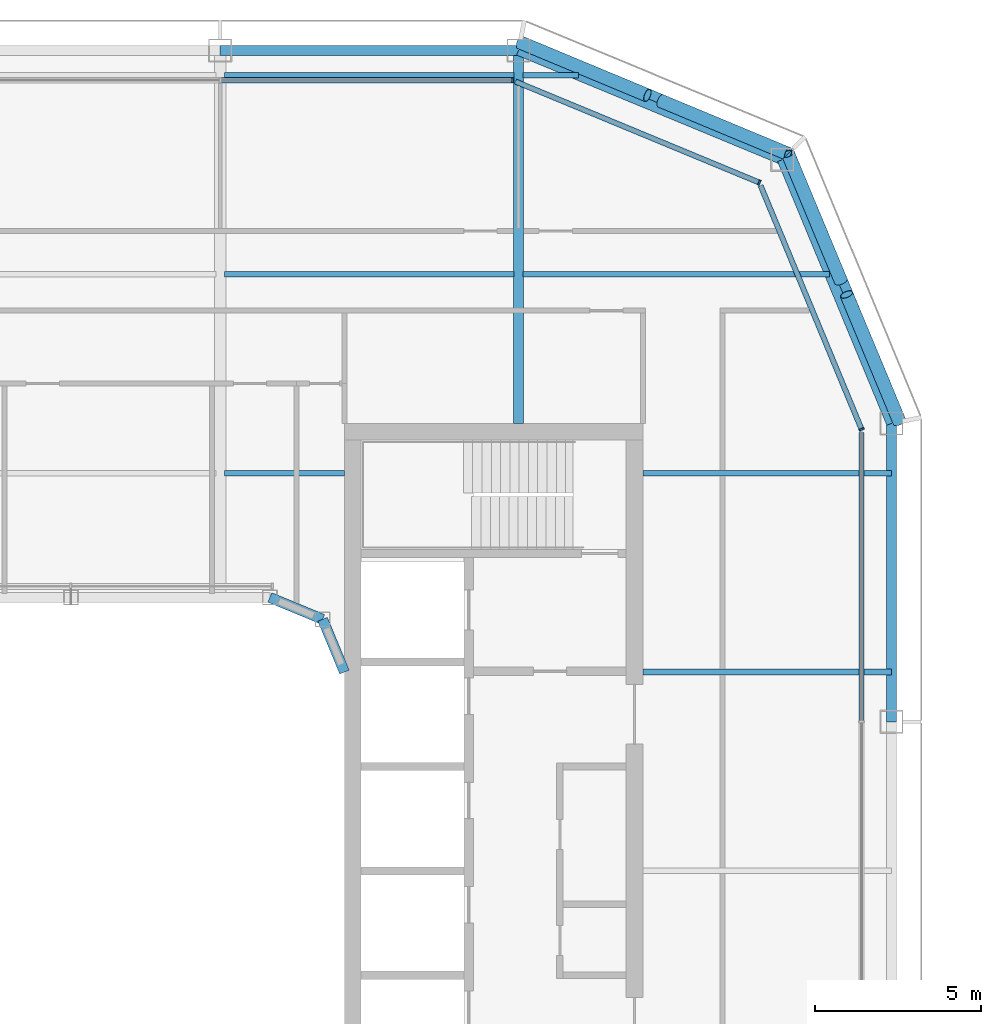
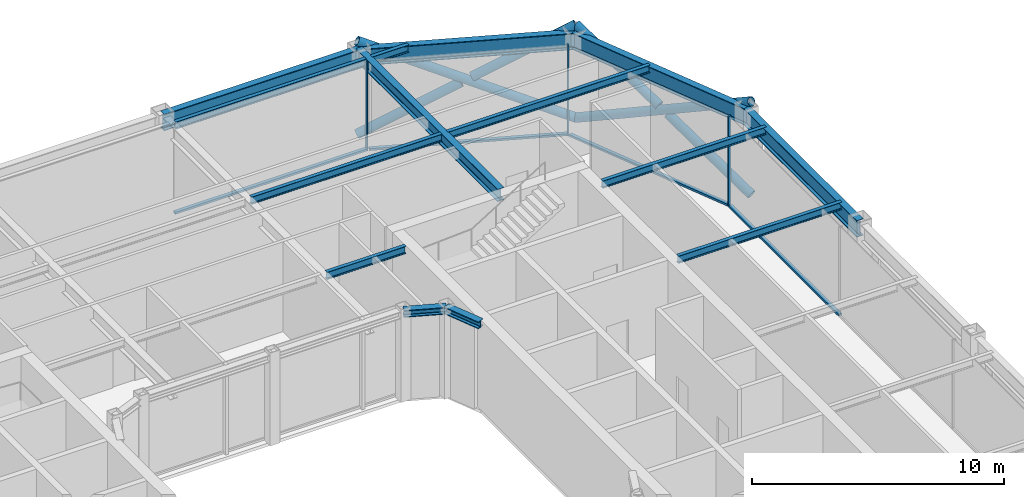
# One storey, part 9 of 21: 14 beams, 13 members, 4 elements without a shape of their own.
"""IFC4 building model written with IfcOpenShell, lengths in metres."""

from ifc_helpers import new_model, si_unit, direction, frame, origin, origin_2d, place, context, subcontext, project, spatial, rectangle, hollow_circle, i_section, extrude, material, layer, layer_set, material_profile, profile_set, type_object, element, aggregate, save


model = new_model("IFC4")

# Units and contexts
model_context = context("Model", 3, precision=1e-05, world=origin(), true_north=direction((0.0, 1.0)))
body_context = subcontext(model_context, "Body", "Model", "MODEL_VIEW")
ifc_project = project(units=[si_unit("LENGTHUNIT", "METRE"), si_unit("AREAUNIT", "SQUARE_METRE"), si_unit("VOLUMEUNIT", "CUBIC_METRE"), si_unit("PLANEANGLEUNIT", "RADIAN"), si_unit("MASSUNIT", "GRAM", prefix="KILO")], contexts=[model_context])

# Site, building, storey
site_placement = place(None, origin())
site = spatial("IfcSite", under=ifc_project, at=site_placement, CompositionType="ELEMENT")
building_placement = place(site_placement, origin())
building = spatial("IfcBuilding", under=site, at=building_placement, Name="Siwar Civic Tower", CompositionType="ELEMENT")
storey_placement = place(building_placement, frame((0.0, 0.0, 339.199951171875)))
storey = spatial("IfcBuildingStorey", under=building, at=storey_placement, Name="L73", CompositionType="ELEMENT", Elevation=339.199951171875)

# Curtain wall, member
ifc_material_1 = material(Name="Aluminium clad insulated panel", Category="aluminium")
ifc_layer_1 = layer(ifc_material_1, 0.159912109375)
ifc_layer_set_1 = layer_set([ifc_layer_1], Name="Aluminium clad insulated panel")
curtain_wall_type_1 = type_object("IfcCurtainWallType", Name="ENV-CW-DX", PredefinedType="NOTDEFINED", material=ifc_layer_set_1)
curtain_wall_1_placement = place(storey_placement, origin())
curtain_wall_1 = element("IfcCurtainWall", 1, at=curtain_wall_1_placement, inside=storey, type_object=curtain_wall_type_1, Name="Curtain wall D NE1", PredefinedType="NOTDEFINED")
ifc_material_2 = material(Name="Aluminium 6063-T6", Category="aluminium")
ifc_material_profile_1 = material_profile(ifc_material_2, rectangle(XDim=0.159912109375, YDim=0.06005859375, at=origin_2d()), Name="AL 160x60")
ifc_profile_set_1 = profile_set([ifc_material_profile_1], Name="Aluminium 6063-T6")
member_type_1 = type_object("IfcMemberType", Name="ENV-MULLION-D", PredefinedType="MULLION", material=ifc_profile_set_1)
member_1_placement = place(storey_placement, frame((23.85009765625, 13.321044921875, 0.0), z_axis=(0.0, 0.0, 1.0), x_axis=(-0.923879532511, -0.382683432365, 0.0)))
member_1 = element("IfcMember", 2, at=member_1_placement, type_object=member_type_1, Name="Mullion D NE1 1", PredefinedType="MULLION", context=body_context, shape_type="SweptSolid", body=[
    extrude(rectangle(XDim=0.159912109375, YDim=0.06005859375, at=origin_2d()), origin(), (0.0, 0.0, 1.0), 4.35009765625),
])

curtain_wall_2_placement = place(storey_placement, origin())
curtain_wall_2 = element("IfcCurtainWall", 3, at=curtain_wall_2_placement, inside=storey, type_object=curtain_wall_type_1, Name="Curtain wall D NE2", PredefinedType="NOTDEFINED")
member_2_placement = place(storey_placement, frame((20.76611328125, 20.76611328125, 0.0), z_axis=(0.0, 0.0, 1.0), x_axis=(-0.382683432365, -0.923879532511, 0.0)))
member_2 = element("IfcMember", 4, at=member_2_placement, type_object=member_type_1, Name="Mullion D NE2 1", PredefinedType="MULLION", context=body_context, shape_type="SweptSolid", body=[
    extrude(rectangle(XDim=0.159912109375, YDim=0.06005859375, at=origin_2d()), origin(), (0.0, 0.0, 1.0), 4.35009765625),
])

ifc_material_3 = material(Name="Aluminium and glass", Category="aluminium")
ifc_layer_2 = layer(ifc_material_3, 0.159912109375)
ifc_layer_set_2 = layer_set([ifc_layer_2], Name="Aluminium and glass")
curtain_wall_type_2 = type_object("IfcCurtainWallType", Name="ENV-CW-D", PredefinedType="NOTDEFINED", material=ifc_layer_set_2)
curtain_wall_3_placement = place(storey_placement, origin())
curtain_wall_3 = element("IfcCurtainWall", 5, at=curtain_wall_3_placement, inside=storey, type_object=curtain_wall_type_2, Name="Curtain wall D N", PredefinedType="NOTDEFINED")
member_3_placement = place(storey_placement, frame((13.321044921875, 23.85009765625, 0.0), z_axis=(0.0, 0.0, 1.0), x_axis=(0.0, -1.0, 0.0)))
member_3 = element("IfcMember", 6, at=member_3_placement, type_object=member_type_1, Name="Mullion D N 1", PredefinedType="MULLION", context=body_context, shape_type="SweptSolid", body=[
    extrude(rectangle(XDim=0.159912109375, YDim=0.06005859375, at=origin_2d()), origin(), (0.0, 0.0, 1.0), 4.35009765625),
])

curtain_wall_4_placement = place(storey_placement, origin())
curtain_wall_4 = element("IfcCurtainWall", 7, at=curtain_wall_4_placement, inside=storey, type_object=curtain_wall_type_2, Name="Curtain wall D E", PredefinedType="NOTDEFINED")
ifc_material_4 = material(Name="Aluminium 6063-T6", Category="aluminium")
ifc_material_profile_2 = material_profile(ifc_material_4, rectangle(XDim=0.159912109375, YDim=0.10009765625, at=origin_2d()), Name="AL 160x100")
ifc_profile_set_2 = profile_set([ifc_material_profile_2], Name="Aluminium 6063-T6")
member_type_2 = type_object("IfcMemberType", Name="ENV-TRANSOM-D", PredefinedType="USERDEFINED", material=ifc_profile_set_2)
member_4_placement = place(storey_placement, frame((23.85009765625, 4.530029296875, 0.050048828125), z_axis=(0.0, 1.0, 0.0), x_axis=(-1.0, 0.0, 0.0)))
member_4 = element("IfcMember", 8, at=member_4_placement, type_object=member_type_2, Name="Transom D E 3", ObjectType="TRANSOM", PredefinedType="USERDEFINED", context=body_context, shape_type="SweptSolid", body=[
    extrude(rectangle(XDim=0.159912109375, YDim=0.10009765625, at=origin_2d()), origin(), (0.0, 0.0, 1.0), 8.693115234375),
])
aggregate(curtain_wall_4, [member_4])

# Member
member_5_placement = place(storey_placement, frame((23.838623046875, 13.3486328125, 0.050048828125), z_axis=(-0.382699790424, 0.923872756612, 0.0), x_axis=(-0.923872756612, -0.382699790424, 0.0)))
member_5 = element("IfcMember", 9, at=member_5_placement, type_object=member_type_2, Name="Transom D NE1 1", ObjectType="TRANSOM", PredefinedType="USERDEFINED", context=body_context, shape_type="SweptSolid", body=[
    extrude(rectangle(XDim=0.159912109375, YDim=0.10009765625, at=origin_2d()), origin(), (0.0, 0.0, 1.0), 7.930908203125),
])

aggregate(curtain_wall_1, [member_1, member_5])

member_6_placement = place(storey_placement, frame((20.738525390625, 20.777587890625, 0.050048828125), z_axis=(-0.923883640343, 0.382673515031, 0.0), x_axis=(-0.382673515031, -0.923883640343, 0.0)))
member_6 = element("IfcMember", 10, at=member_6_placement, type_object=member_type_2, Name="Transom D NE2 1", ObjectType="TRANSOM", PredefinedType="USERDEFINED", context=body_context, shape_type="SweptSolid", body=[
    extrude(rectangle(XDim=0.159912109375, YDim=0.10009765625, at=origin_2d()), origin(), (0.0, 0.0, 1.0), 7.930908203125),
])

aggregate(curtain_wall_2, [member_2, member_6])

member_7_placement = place(storey_placement, frame((13.291015625, 23.85009765625, 0.050048828125), z_axis=(-1.0, 0.0, 0.0), x_axis=(0.0, -1.0, 0.0)))
member_7 = element("IfcMember", 11, at=member_7_placement, type_object=member_type_2, Name="Transom D N 1", ObjectType="TRANSOM", PredefinedType="USERDEFINED", context=body_context, shape_type="SweptSolid", body=[
    extrude(rectangle(XDim=0.159912109375, YDim=0.10009765625, at=origin_2d()), origin(), (0.0, 0.0, 1.0), 8.760986328125),
])

aggregate(curtain_wall_3, [member_3, member_7])

# Members
ifc_material_5 = material(Name="Steel S355", Category="steel")
ifc_material_profile_3 = material_profile(ifc_material_5, hollow_circle(Radius=0.203125, WallThickness=0.01611328125, at=origin_2d()), Name="CHS406.4x16")
ifc_profile_set_3 = profile_set([ifc_material_profile_3], Name="Steel S355")
member_type_3 = type_object("IfcMemberType", Name="STR-BR-CHS406.4x16", PredefinedType="BRACE", material=ifc_profile_set_3)
member_8_placement = place(storey_placement, frame((21.6318359375, 21.6318359375, 0.0), z_axis=(-0.821142553604, 0.341671493852, 0.457149315816), x_axis=(-0.384163874976, -0.923264922524, 0.0)))
element("IfcMember", 12, at=member_8_placement, inside=storey, type_object=member_type_3, Name="L73/brc/DNE1-12-0-1", PredefinedType="BRACE", context=body_context, shape_type="SweptSolid", body=[
    extrude(hollow_circle(Radius=0.203125, WallThickness=0.01611328125, at=origin_2d()), origin(), (0.0, 0.0, 1.0), 9.843505859375),
])
for number, where, z_axis, x_axis, name in (
    (13, (13.548828125, 24.9951171875, 0.0), (0.821130093572, -0.341659024948, 0.45718101459), (0.384156893273, 0.923267827529, 0.0), "L73/brc/DNE1-12-0-2"),
    (14, (17.791259765625, 23.229736328125, 2.362060546875), (0.821166691915, -0.341652533125, 0.457120127208), (0.38413607648, 0.923276488787, 0.0), "L73/brc/DNE1-12-0-3"),
):
    element("IfcMember", number, at=place(storey_placement, frame(where, z_axis=z_axis, x_axis=x_axis)), inside=storey, type_object=member_type_3, Name=name, PredefinedType="BRACE", context=body_context, shape_type="SweptSolid", body=[
        extrude(hollow_circle(Radius=0.203125, WallThickness=0.01611328125, at=origin_2d()), origin(), (0.0, 0.0, 1.0), 4.677001953125),
    ])
member_9_placement = place(storey_placement, frame((21.6318359375, 21.6318359375, 0.0), z_axis=(0.341671493852, -0.821142553604, 0.457149315816), x_axis=(0.923264922524, 0.384163874976, 0.0)))
element("IfcMember", 15, at=member_9_placement, inside=storey, type_object=member_type_3, Name="L73/brc/DNE1-12-0-0", PredefinedType="BRACE", context=body_context, shape_type="SweptSolid", body=[
    extrude(hollow_circle(Radius=0.203125, WallThickness=0.01611328125, at=origin_2d()), origin(), (0.0, 0.0, 1.0), 9.843505859375),
])
for number, where, z_axis, x_axis, name in (
    (16, (24.9951171875, 13.548828125, 0.0), (-0.341659024948, 0.821130093572, 0.45718101459), (-0.923267827529, -0.384156893273, 0.0), "L73/brc/DNE1-12-0-4"),
    (17, (23.229736328125, 17.791259765625, 2.362060546875), (-0.341652533125, 0.821166691915, 0.457120127208), (-0.923276488787, -0.38413607648, 0.0), "L73/brc/DNE1-12-0-5"),
):
    element("IfcMember", number, at=place(storey_placement, frame(where, z_axis=z_axis, x_axis=x_axis)), inside=storey, type_object=member_type_3, Name=name, PredefinedType="BRACE", context=body_context, shape_type="SweptSolid", body=[
        extrude(hollow_circle(Radius=0.203125, WallThickness=0.01611328125, at=origin_2d()), origin(), (0.0, 0.0, 1.0), 4.677001953125),
    ])

# Beams
ifc_material_6 = material(Name="Steel S355", Category="steel")
ifc_material_profile_4 = material_profile(ifc_material_6, i_section(OverallWidth=0.169921875, OverallDepth=0.360107421875, WebThickness=0.008056640625, FlangeThickness=0.0126953125, FilletRadius=0.01806640625, at=origin_2d()), Name="IPE360")
ifc_profile_set_4 = profile_set([ifc_material_profile_4], Name="Steel S355")
beam_type_1 = type_object("IfcBeamType", Name="STR-FB-IPE360", PredefinedType="JOIST", material=ifc_profile_set_4)
beam_1_placement = place(storey_placement, frame((17.25, 6.0, 4.170166015625), z_axis=(1.0, 0.0, 0.0), x_axis=(0.0, 1.0, 0.0)))
element("IfcBeam", 18, at=beam_1_placement, inside=storey, type_object=beam_type_1, Name="L73/bm/F021", PredefinedType="JOIST", context=body_context, shape_type="SweptSolid", body=[
    extrude(i_section(OverallWidth=0.169921875, OverallDepth=0.360107421875, WebThickness=0.008056640625, FlangeThickness=0.0126953125, FilletRadius=0.01806640625, at=origin_2d()), origin(), (0.0, 0.0, 1.0), 7.5),
])
beam_2_placement = place(storey_placement, frame((4.6298828125, 12.0, 4.170166015625), z_axis=(1.0, 0.0, 0.0), x_axis=(0.0, 1.0, 0.0)))
element("IfcBeam", 19, at=beam_2_placement, inside=storey, type_object=beam_type_1, Name="L73/bm/F025", PredefinedType="JOIST", context=body_context, shape_type="SweptSolid", body=[
    extrude(i_section(OverallWidth=0.169921875, OverallDepth=0.360107421875, WebThickness=0.008056640625, FlangeThickness=0.0126953125, FilletRadius=0.01806640625, at=origin_2d()), origin(), (0.0, 0.0, 1.0), 3.6201171875),
])
beam_3_placement = place(storey_placement, frame((17.25, 12.0, 4.170166015625), z_axis=(1.0, 0.0, 0.0), x_axis=(0.0, 1.0, 0.0)))
element("IfcBeam", 20, at=beam_3_placement, inside=storey, type_object=beam_type_1, Name="L73/bm/F026", PredefinedType="JOIST", context=body_context, shape_type="SweptSolid", body=[
    extrude(i_section(OverallWidth=0.169921875, OverallDepth=0.360107421875, WebThickness=0.008056640625, FlangeThickness=0.0126953125, FilletRadius=0.01806640625, at=origin_2d()), origin(), (0.0, 0.0, 1.0), 7.5),
])
beam_4_placement = place(storey_placement, frame((4.6298828125, 18.0, 4.170166015625), z_axis=(1.0, 0.0, 0.0), x_axis=(0.0, 1.0, 0.0)))
element("IfcBeam", 21, at=beam_4_placement, inside=storey, type_object=beam_type_1, Name="L73/bm/F030", PredefinedType="JOIST", context=body_context, shape_type="SweptSolid", body=[
    extrude(i_section(OverallWidth=0.169921875, OverallDepth=0.360107421875, WebThickness=0.008056640625, FlangeThickness=0.0126953125, FilletRadius=0.01806640625, at=origin_2d()), origin(), (0.0, 0.0, 1.0), 8.740234375),
])
beam_5_placement = place(storey_placement, frame((13.6298828125, 18.0, 4.170166015625), z_axis=(1.0, 0.0, 0.0), x_axis=(0.0, 1.0, 0.0)))
element("IfcBeam", 22, at=beam_5_placement, inside=storey, type_object=beam_type_1, Name="L73/bm/F031", PredefinedType="JOIST", context=body_context, shape_type="SweptSolid", body=[
    extrude(i_section(OverallWidth=0.169921875, OverallDepth=0.360107421875, WebThickness=0.008056640625, FlangeThickness=0.0126953125, FilletRadius=0.01806640625, at=origin_2d()), origin(), (0.0, 0.0, 1.0), 9.256103515625),
])
beam_6_placement = place(storey_placement, frame((4.6298828125, 24.0, 4.170166015625), z_axis=(1.0, 0.0, 0.0), x_axis=(0.0, 1.0, 0.0)))
element("IfcBeam", 23, at=beam_6_placement, inside=storey, type_object=beam_type_1, Name="L73/bm/F035", PredefinedType="JOIST", context=body_context, shape_type="SweptSolid", body=[
    extrude(i_section(OverallWidth=0.169921875, OverallDepth=0.360107421875, WebThickness=0.008056640625, FlangeThickness=0.0126953125, FilletRadius=0.01806640625, at=origin_2d()), origin(), (0.0, 0.0, 1.0), 8.740234375),
])
beam_7_placement = place(storey_placement, frame((13.6298828125, 24.0, 4.170166015625), z_axis=(1.0, 0.0, 0.0), x_axis=(0.0, 1.0, 0.0)))
element("IfcBeam", 24, at=beam_7_placement, inside=storey, type_object=beam_type_1, Name="L73/bm/F036", PredefinedType="JOIST", context=body_context, shape_type="SweptSolid", body=[
    extrude(i_section(OverallWidth=0.169921875, OverallDepth=0.360107421875, WebThickness=0.008056640625, FlangeThickness=0.0126953125, FilletRadius=0.01806640625, at=origin_2d()), origin(), (0.0, 0.0, 1.0), 1.6806640625),
])
ifc_material_7 = material(Name="Steel S355", Category="steel")
ifc_material_profile_5 = material_profile(ifc_material_7, i_section(OverallWidth=0.300048828125, OverallDepth=0.60009765625, WebThickness=0.015380859375, FlangeThickness=0.030029296875, FilletRadius=0.027099609375, at=origin_2d()), Name="HEB600")
ifc_profile_set_5 = profile_set([ifc_material_profile_5], Name="Steel S355")
beam_type_2 = type_object("IfcBeamType", Name="STR-PG-HEB600", PredefinedType="BEAM", material=ifc_profile_set_5)
beam_8_placement = place(storey_placement, frame((13.5, 13.5, 4.050048828125), z_axis=(0.0, 1.0, 0.0), x_axis=(-1.0, 0.0, 0.0)))
element("IfcBeam", 25, at=beam_8_placement, inside=storey, type_object=beam_type_2, Name="L73/bm/G08", PredefinedType="BEAM", context=body_context, shape_type="SweptSolid", body=[
    extrude(i_section(OverallWidth=0.300048828125, OverallDepth=0.60009765625, WebThickness=0.015380859375, FlangeThickness=0.030029296875, FilletRadius=0.027099609375, at=origin_2d()), origin(), (0.0, 0.0, 1.0), 11.25),
])
ifc_material_8 = material(Name="Steel S355", Category="steel")
ifc_material_profile_6 = material_profile(ifc_material_8, i_section(OverallWidth=0.31005859375, OverallDepth=0.340087890625, WebThickness=0.02099609375, FlangeThickness=0.0390625, FilletRadius=0.027099609375, at=origin_2d()), Name="HEM300")
ifc_profile_set_6 = profile_set([ifc_material_profile_6], Name="Steel S355")
beam_type_3 = type_object("IfcBeamType", Name="STR-RB-HEM300", PredefinedType="BEAM", material=ifc_profile_set_6)
for number, where, z_axis, x_axis, name in (
    (26, (6.0, 8.25, 4.179931640625), (0.923901072997, -0.382631424892, 0.0), (0.382631424892, 0.923901072997, 0.0), "L73/bm/RN3"),
    (27, (7.591064453125, 7.591064453125, 4.179931640625), (0.382631424892, -0.923901072997, 0.0), (0.923901072997, 0.382631424892, 0.0), "L73/bm/RNEE"),
):
    element("IfcBeam", number, at=place(storey_placement, frame(where, z_axis=z_axis, x_axis=x_axis)), inside=storey, type_object=beam_type_3, Name=name, PredefinedType="BEAM", context=body_context, shape_type="SweptSolid", body=[
        extrude(i_section(OverallWidth=0.31005859375, OverallDepth=0.340087890625, WebThickness=0.02099609375, FlangeThickness=0.0390625, FilletRadius=0.027099609375, at=origin_2d()), origin(), (0.0, 0.0, 1.0), 1.72216796875),
    ])
ifc_material_9 = material(Name="Steel S355", Category="steel")
ifc_material_profile_7 = material_profile(ifc_material_9, i_section(OverallWidth=0.300048828125, OverallDepth=0.800048828125, WebThickness=0.017578125, FlangeThickness=0.032958984375, FilletRadius=0.030029296875, at=origin_2d()), Name="HEB800")
ifc_profile_set_7 = profile_set([ifc_material_profile_7], Name="Steel S355")
beam_type_4 = type_object("IfcBeamType", Name="STR-SB-HEB800", PredefinedType="BEAM", material=ifc_profile_set_7)
beam_9_placement = place(storey_placement, frame((24.75, 4.5, 3.949951171875), z_axis=(0.0, 1.0, 0.0), x_axis=(-1.0, 0.0, 0.0)))
element("IfcBeam", 28, at=beam_9_placement, inside=storey, type_object=beam_type_4, Name="L73/bm/SE-2", PredefinedType="BEAM", context=body_context, shape_type="SweptSolid", body=[
    extrude(i_section(OverallWidth=0.300048828125, OverallDepth=0.800048828125, WebThickness=0.017578125, FlangeThickness=0.032958984375, FilletRadius=0.030029296875, at=origin_2d()), origin(), (0.0, 0.0, 1.0), 9.0),
])
for number, where, z_axis, x_axis, name in (
    (29, (24.75, 13.5, 3.949951171875), (-0.382699877515, 0.923872720536, 0.0), (-0.923872720536, -0.382699877515, 0.0), "L73/bm/SNE1-0"),
    (30, (21.454833984375, 21.454833984375, 3.949951171875), (-0.923872720536, 0.382699877515, 0.0), (-0.382699877515, -0.923872720536, 0.0), "L73/bm/SNE2-0"),
):
    element("IfcBeam", number, at=place(storey_placement, frame(where, z_axis=z_axis, x_axis=x_axis)), inside=storey, type_object=beam_type_4, Name=name, PredefinedType="BEAM", context=body_context, shape_type="SweptSolid", body=[
        extrude(i_section(OverallWidth=0.300048828125, OverallDepth=0.800048828125, WebThickness=0.017578125, FlangeThickness=0.032958984375, FilletRadius=0.030029296875, at=origin_2d()), origin(), (0.0, 0.0, 1.0), 8.6103515625),
    ])
beam_10_placement = place(storey_placement, frame((13.5, 24.75, 3.949951171875), z_axis=(-1.0, 0.0, 0.0), x_axis=(0.0, -1.0, 0.0)))
element("IfcBeam", 31, at=beam_10_placement, inside=storey, type_object=beam_type_4, Name="L73/bm/SN-0", PredefinedType="BEAM", context=body_context, shape_type="SweptSolid", body=[
    extrude(i_section(OverallWidth=0.300048828125, OverallDepth=0.800048828125, WebThickness=0.017578125, FlangeThickness=0.032958984375, FilletRadius=0.030029296875, at=origin_2d()), origin(), (0.0, 0.0, 1.0), 9.0),
])

save(model, "model.ifc")
